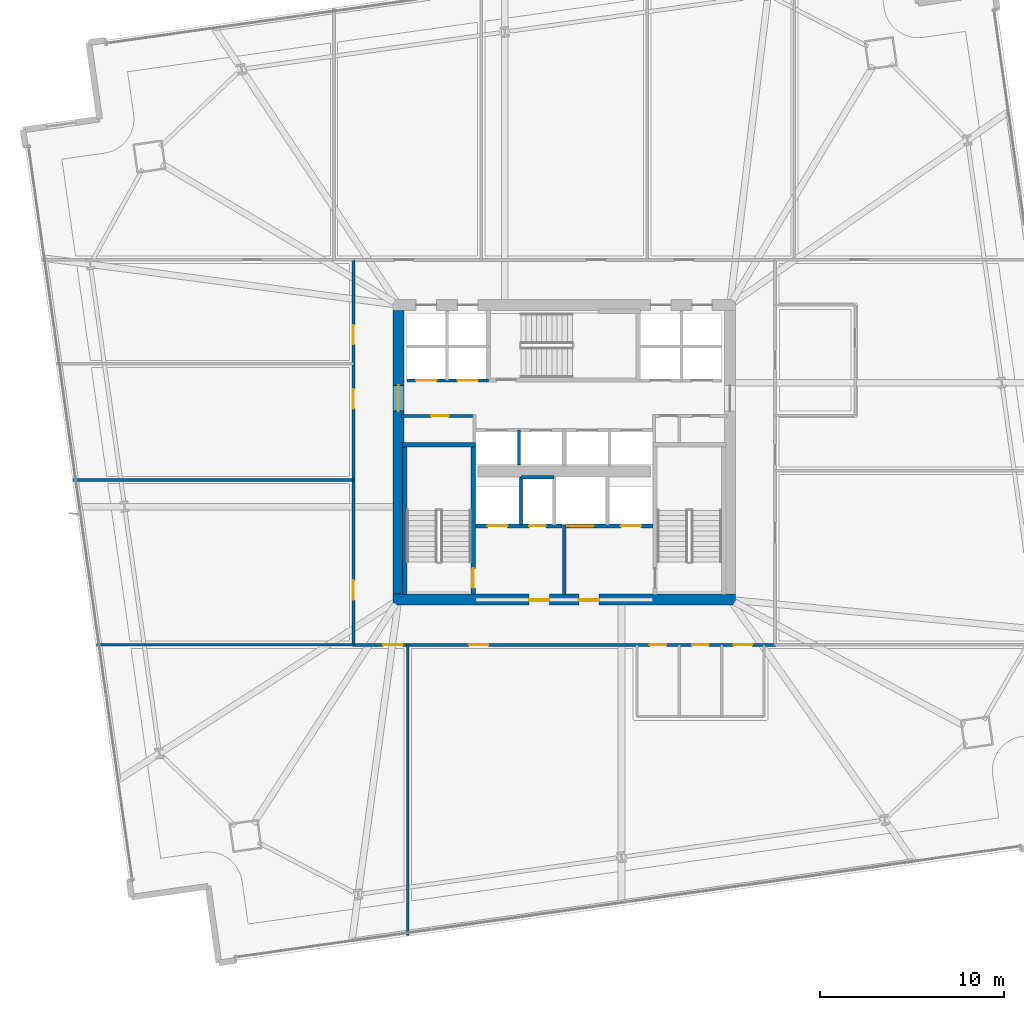
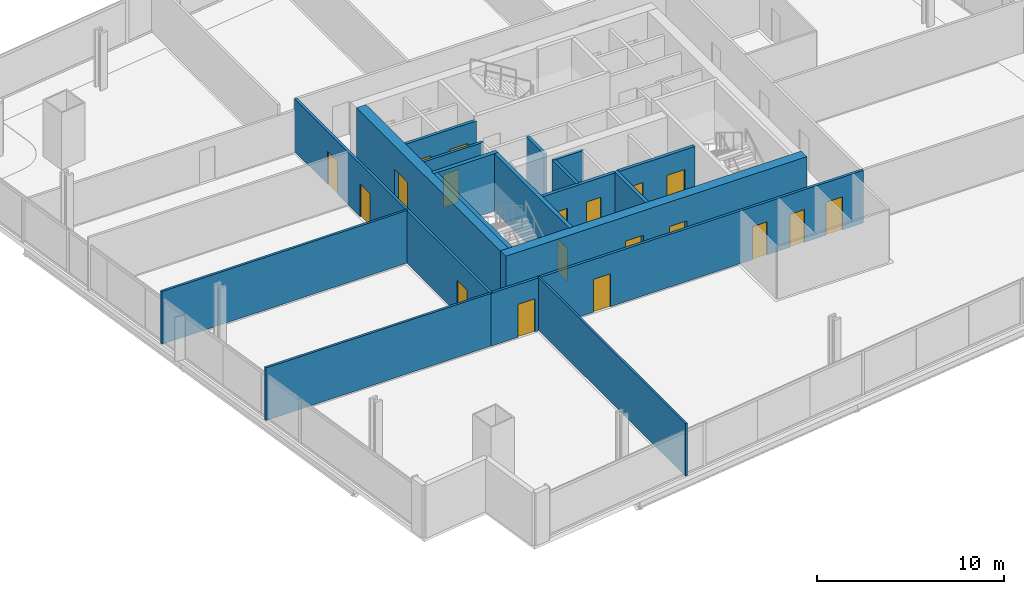
# One storey, part 25 of 33: 19 doors, 18 walls, 19 openings.
"""IFC4 building model written with IfcOpenShell, lengths in metres."""

from ifc_helpers import new_model, si_unit, direction, frame, frame_2d, origin, place, context, subcontext, project, spatial, rectangle, extrude, material, layer, layer_set, type_object, element, fill, save


model = new_model("IFC4")

# Units and contexts
model_context = context("Model", 3, precision=1e-05, world=origin(), true_north=direction((0.0, 1.0)))
body_context = subcontext(model_context, "Body", "Model", "MODEL_VIEW")
ifc_project = project(units=[si_unit("LENGTHUNIT", "METRE"), si_unit("AREAUNIT", "SQUARE_METRE"), si_unit("VOLUMEUNIT", "CUBIC_METRE"), si_unit("PLANEANGLEUNIT", "RADIAN"), si_unit("MASSUNIT", "GRAM", prefix="KILO")], contexts=[model_context])

# Site, building, storey
site_placement = place(None, origin())
site = spatial("IfcSite", under=ifc_project, at=site_placement, CompositionType="ELEMENT")
building_placement = place(site_placement, origin())
building = spatial("IfcBuilding", under=site, at=building_placement, Name="Haldenkirk Collegiate Tower", CompositionType="ELEMENT")
storey_placement = place(building_placement, frame((0.0, 0.0, 55.199951171875)))
storey = spatial("IfcBuildingStorey", under=building, at=storey_placement, Name="L12", CompositionType="ELEMENT", Elevation=55.199951171875)

# Wall, openings, doors
ifc_material_1 = material(Name="Concrete f'c 70 MPa", Category="concrete")
ifc_layer_1 = layer(ifc_material_1, 0.60009765625)
ifc_layer_set_1 = layer_set([ifc_layer_1], Name="Concrete f'c 70 MPa")
wall_type_1 = type_object("IfcWallType", Name="WL-CORE-600", PredefinedType="SHEAR", material=ifc_layer_set_1)
wall_1_placement = place(storey_placement, frame((26.699951171875, 18.0, 0.0), z_axis=(0.0, 0.0, 1.0), x_axis=(1.0, 0.0, 0.0)))
wall_1 = element("IfcWall", 1, at=wall_1_placement, inside=storey, type_object=wall_type_1, Name="L12 central core shear wall S", PredefinedType="SHEAR", context=body_context, shape_type="SweptSolid", body=[
    extrude(rectangle(XDim=18.60009765625, YDim=0.60009765625, at=frame_2d((9.300048828125, 0.0))), origin(), (0.0, 0.0, 1.0), 3.75),
])
opening_1_placement = place(wall_1_placement, frame((7.39990234375, 0.0, 0.0)))
opening_1 = element("IfcOpeningElement", 2, at=opening_1_placement, cuts=wall_1, Name="Opening D-02", PredefinedType="OPENING", context=body_context, shape_type="SweptSolid", body=[
    extrude(rectangle(XDim=1.10009765625, YDim=2.14990234375, at=frame_2d((0.550048828125, 1.074951171875))), frame((0.0, 0.31005859375, 0.0), z_axis=(0.0, -1.0, 0.0), x_axis=(1.0, 0.0, 0.0)), (0.0, 0.0, 1.0), 0.6201171875),
])
opening_2_placement = place(wall_1_placement, frame((10.10009765625, 0.0, 0.0)))
opening_2 = element("IfcOpeningElement", 3, at=opening_2_placement, cuts=wall_1, Name="Opening D-02", PredefinedType="OPENING", context=body_context, shape_type="SweptSolid", body=[
    extrude(rectangle(XDim=1.10009765625, YDim=2.14990234375, at=frame_2d((0.550048828125, 1.074951171875))), frame((0.0, 0.31005859375, 0.0), z_axis=(0.0, -1.0, 0.0), x_axis=(1.0, 0.0, 0.0)), (0.0, 0.0, 1.0), 0.6201171875),
])
ifc_material_2 = material(Name="Galvanized fire-rated hollow steel door", Category="steel")
ifc_layer_2 = layer(ifc_material_2, 0.06005859375)
ifc_layer_set_2 = layer_set([ifc_layer_2], Name="Galvanized fire-rated hollow steel door")
door_type_1 = type_object("IfcDoorType", Name="DR-STAIR-FD90-1100", OperationType="NOTDEFINED", PredefinedType="DOOR", material=ifc_layer_set_2)
door_1_placement = place(opening_1_placement, origin())
door_1 = element("IfcDoor", 4, at=door_1_placement, inside=storey, type_object=door_type_1, Name="L12 Firefighting Lobby 1 door", OperationType="SINGLE_SWING_LEFT", OverallHeight=2.14990234375, OverallWidth=1.10009765625, PredefinedType="DOOR", context=body_context, shape_type="SweptSolid", body=[
    extrude(rectangle(XDim=1.10009765625, YDim=2.14990234375, at=frame_2d((0.550048828125, 1.074951171875))), frame((0.0, 0.02490234375, 0.0), z_axis=(0.0, -1.0, 0.0), x_axis=(1.0, 0.0, 0.0)), (0.0, 0.0, 1.0), 0.050048828125),
])
fill(opening_1, door_1)
door_2_placement = place(opening_2_placement, origin())
door_2 = element("IfcDoor", 5, at=door_2_placement, inside=storey, type_object=door_type_1, Name="L12 Firefighting Lobby 2 door", OperationType="SINGLE_SWING_RIGHT", OverallHeight=2.14990234375, OverallWidth=1.10009765625, PredefinedType="DOOR", context=body_context, shape_type="SweptSolid", body=[
    extrude(rectangle(XDim=1.10009765625, YDim=2.14990234375, at=frame_2d((0.550048828125, 1.074951171875))), frame((0.0, 0.02490234375, 0.0), z_axis=(0.0, -1.0, 0.0), x_axis=(1.0, 0.0, 0.0)), (0.0, 0.0, 1.0), 0.050048828125),
])
fill(opening_2, door_2)

# Wall, opening, door
wall_2_placement = place(storey_placement, frame((27.0, 18.300048828125, 0.0), z_axis=(0.0, 0.0, 1.0), x_axis=(0.0, 1.0, 0.0)))
wall_2 = element("IfcWall", 6, at=wall_2_placement, inside=storey, type_object=wall_type_1, Name="L12 central core shear wall W", PredefinedType="SHEAR", context=body_context, shape_type="SweptSolid", body=[
    extrude(rectangle(XDim=15.39990234375, YDim=0.60009765625, at=frame_2d((7.699951171875, 0.0))), origin(), (0.0, 0.0, 1.0), 3.75),
])
opening_3_placement = place(wall_2_placement, frame((9.93994140625, 0.0, 0.0)))
opening_3 = element("IfcOpeningElement", 7, at=opening_3_placement, cuts=wall_2, Name="Opening D-03", PredefinedType="OPENING", context=body_context, shape_type="SweptSolid", body=[
    extrude(rectangle(XDim=1.39990234375, YDim=2.199951171875, at=frame_2d((0.699951171875, 1.10009765625))), frame((0.0, 0.31005859375, 0.0), z_axis=(0.0, -1.0, 0.0), x_axis=(1.0, 0.0, 0.0)), (0.0, 0.0, 1.0), 0.6201171875),
])
ifc_layer_3 = layer(ifc_material_2, 0.06005859375)
ifc_layer_set_3 = layer_set([ifc_layer_3], Name="Galvanized fire-rated hollow steel door")
door_type_2 = type_object("IfcDoorType", Name="DR-LOBBY-FD90-1400", OperationType="NOTDEFINED", PredefinedType="DOOR", material=ifc_layer_set_3)
door_3_placement = place(opening_3_placement, origin())
door_3 = element("IfcDoor", 8, at=door_3_placement, inside=storey, type_object=door_type_2, Name="L12 west lift lobby portal", OperationType="DOUBLE_DOOR_SINGLE_SWING", OverallHeight=2.199951171875, OverallWidth=1.39990234375, PredefinedType="DOOR", context=body_context, shape_type="SweptSolid", body=[
    extrude(rectangle(XDim=1.39990234375, YDim=2.199951171875, at=frame_2d((0.699951171875, 1.10009765625))), frame((0.0, 0.02490234375, 0.0), z_axis=(0.0, -1.0, 0.0), x_axis=(1.0, 0.0, 0.0)), (0.0, 0.0, 1.0), 0.050048828125),
])
fill(opening_3, door_3)

ifc_material_3 = material(Name="Acoustic fire-rated gypsum partition", Category="concrete")
ifc_layer_4 = layer(ifc_material_3, 0.159912109375)
ifc_layer_set_4 = layer_set([ifc_layer_4], Name="Acoustic fire-rated gypsum partition")
wall_type_2 = type_object("IfcWallType", Name="WL-INT-CORR-160", PredefinedType="PARTITIONING", material=ifc_layer_set_4)
wall_3_placement = place(storey_placement, frame((27.14990234375, 27.97998046875, 0.0), z_axis=(0.0, 0.0, 1.0), x_axis=(1.0, 0.0, 0.0)))
wall_3 = element("IfcWall", 9, at=wall_3_placement, inside=storey, type_object=wall_type_2, Name="L12 interior partition IW-L12-VCSW-N", PredefinedType="PARTITIONING", context=body_context, shape_type="SweptSolid", body=[
    extrude(rectangle(XDim=4.050048828125, YDim=0.159912109375, at=frame_2d((2.02490234375, 0.0))), origin(), (0.0, 0.0, 1.0), 3.43994140625),
])
opening_4_placement = place(wall_3_placement, frame((1.625, 0.0, 0.0)))
opening_4 = element("IfcOpeningElement", 10, at=opening_4_placement, cuts=wall_3, Name="Opening D-10", PredefinedType="OPENING", context=body_context, shape_type="SweptSolid", body=[
    extrude(rectangle(XDim=0.949951171875, YDim=2.14990234375, at=frame_2d((0.47509765625, 1.074951171875))), frame((0.0, 0.08984375, 0.0), z_axis=(0.0, -1.0, 0.0), x_axis=(1.0, 0.0, 0.0)), (0.0, 0.0, 1.0), 0.179931640625),
])
ifc_material_4 = material(Name="Solid-core architectural oak fire door", Category="wood")
ifc_layer_5 = layer(ifc_material_4, 0.06005859375)
ifc_layer_set_5 = layer_set([ifc_layer_5], Name="Solid-core architectural oak fire door")
door_type_3 = type_object("IfcDoorType", Name="DR-INT-FD60-950", OperationType="NOTDEFINED", PredefinedType="DOOR", material=ifc_layer_set_5)
door_4_placement = place(opening_4_placement, origin())
door_4 = element("IfcDoor", 11, at=door_4_placement, inside=storey, type_object=door_type_3, Name="L12 core tea pantry door", OperationType="SINGLE_SWING_LEFT", OverallHeight=2.14990234375, OverallWidth=0.949951171875, PredefinedType="DOOR", context=body_context, shape_type="SweptSolid", body=[
    extrude(rectangle(XDim=0.949951171875, YDim=2.14990234375, at=frame_2d((0.47509765625, 1.074951171875))), frame((0.0, 0.02490234375, 0.0), z_axis=(0.0, -1.0, 0.0), x_axis=(1.0, 0.0, 0.0)), (0.0, 0.0, 1.0), 0.050048828125),
])
fill(opening_4, door_4)

# Wall, openings, doors
wall_4_placement = place(storey_placement, frame((24.5, 15.550048828125, 0.0), z_axis=(0.0, 0.0, 1.0), x_axis=(1.0, 0.0, 0.0)))
wall_4 = element("IfcWall", 12, at=wall_4_placement, inside=storey, type_object=wall_type_2, Name="L12 interior partition IW-L12-CS", PredefinedType="PARTITIONING", context=body_context, shape_type="SweptSolid", body=[
    extrude(rectangle(XDim=23.0, YDim=0.159912109375, at=frame_2d((11.5, 0.0))), origin(), (0.0, 0.0, 1.0), 3.43994140625),
])
opening_5_placement = place(wall_4_placement, frame((16.14990234375, 0.0, 0.0)))
opening_5 = element("IfcOpeningElement", 13, at=opening_5_placement, cuts=wall_4, Name="Opening D-13", PredefinedType="OPENING", context=body_context, shape_type="SweptSolid", body=[
    extrude(rectangle(XDim=0.89990234375, YDim=2.14990234375, at=frame_2d((0.449951171875, 1.074951171875))), frame((0.0, 0.08984375, 0.0), z_axis=(0.0, -1.0, 0.0), x_axis=(1.0, 0.0, 0.0)), (0.0, 0.0, 1.0), 0.179931640625),
])
opening_6_placement = place(wall_4_placement, frame((18.449951171875, 0.0, 0.0)))
opening_6 = element("IfcOpeningElement", 14, at=opening_6_placement, cuts=wall_4, Name="Opening D-13", PredefinedType="OPENING", context=body_context, shape_type="SweptSolid", body=[
    extrude(rectangle(XDim=0.89990234375, YDim=2.14990234375, at=frame_2d((0.449951171875, 1.074951171875))), frame((0.0, 0.08984375, 0.0), z_axis=(0.0, -1.0, 0.0), x_axis=(1.0, 0.0, 0.0)), (0.0, 0.0, 1.0), 0.179931640625),
])
opening_7_placement = place(wall_4_placement, frame((20.699951171875, 0.0, 0.0)))
opening_7 = element("IfcOpeningElement", 15, at=opening_7_placement, cuts=wall_4, Name="Opening D-14", PredefinedType="OPENING", context=body_context, shape_type="SweptSolid", body=[
    extrude(rectangle(XDim=1.0, YDim=2.14990234375, at=frame_2d((0.5, 1.074951171875))), frame((0.0, 0.08984375, 0.0), z_axis=(0.0, -1.0, 0.0), x_axis=(1.0, 0.0, 0.0)), (0.0, 0.0, 1.0), 0.179931640625),
])
opening_8_placement = place(wall_4_placement, frame((1.669921875, 0.0, 0.0)))
opening_8 = element("IfcOpeningElement", 16, at=opening_8_placement, cuts=wall_4, Name="Opening D-09", PredefinedType="OPENING", context=body_context, shape_type="SweptSolid", body=[
    extrude(rectangle(XDim=1.050048828125, YDim=2.14990234375, at=frame_2d((0.52490234375, 1.074951171875))), frame((0.0, 0.08984375, 0.0), z_axis=(0.0, -1.0, 0.0), x_axis=(1.0, 0.0, 0.0)), (0.0, 0.0, 1.0), 0.179931640625),
])
opening_9_placement = place(wall_4_placement, frame((6.3330078125, 0.0, 0.0)))
opening_9 = element("IfcOpeningElement", 17, at=opening_9_placement, cuts=wall_4, Name="Opening D-09", PredefinedType="OPENING", context=body_context, shape_type="SweptSolid", body=[
    extrude(rectangle(XDim=1.050048828125, YDim=2.14990234375, at=frame_2d((0.52490234375, 1.074951171875))), frame((0.0, 0.08984375, 0.0), z_axis=(0.0, -1.0, 0.0), x_axis=(1.0, 0.0, 0.0)), (0.0, 0.0, 1.0), 0.179931640625),
])
ifc_layer_6 = layer(ifc_material_4, 0.06005859375)
ifc_layer_set_6 = layer_set([ifc_layer_6], Name="Solid-core architectural oak fire door")
door_type_4 = type_object("IfcDoorType", Name="DR-INT-ACC-1000", OperationType="NOTDEFINED", PredefinedType="DOOR", material=ifc_layer_set_6)
door_5_placement = place(opening_7_placement, origin())
door_5 = element("IfcDoor", 18, at=door_5_placement, inside=storey, type_object=door_type_4, Name="L12 Accessible WC door", OperationType="SINGLE_SWING_RIGHT", OverallHeight=2.14990234375, OverallWidth=1.0, PredefinedType="DOOR", context=body_context, shape_type="SweptSolid", body=[
    extrude(rectangle(XDim=1.0, YDim=2.14990234375, at=frame_2d((0.5, 1.074951171875))), frame((0.0, 0.02490234375, 0.0), z_axis=(0.0, -1.0, 0.0), x_axis=(1.0, 0.0, 0.0)), (0.0, 0.0, 1.0), 0.050048828125),
])
fill(opening_7, door_5)
ifc_layer_7 = layer(ifc_material_4, 0.06005859375)
ifc_layer_set_7 = layer_set([ifc_layer_7], Name="Solid-core architectural oak fire door")
door_type_5 = type_object("IfcDoorType", Name="DR-INT-FD60-1050", OperationType="NOTDEFINED", PredefinedType="DOOR", material=ifc_layer_set_7)
door_6_placement = place(opening_8_placement, origin())
door_6 = element("IfcDoor", 19, at=door_6_placement, inside=storey, type_object=door_type_5, Name="L12 Special Collections Archive 1 door", OperationType="SINGLE_SWING_LEFT", OverallHeight=2.14990234375, OverallWidth=1.050048828125, PredefinedType="DOOR", context=body_context, shape_type="SweptSolid", body=[
    extrude(rectangle(XDim=1.050048828125, YDim=2.14990234375, at=frame_2d((0.52490234375, 1.074951171875))), frame((0.0, 0.02490234375, 0.0), z_axis=(0.0, -1.0, 0.0), x_axis=(1.0, 0.0, 0.0)), (0.0, 0.0, 1.0), 0.050048828125),
])
fill(opening_8, door_6)
door_7_placement = place(opening_9_placement, origin())
door_7 = element("IfcDoor", 20, at=door_7_placement, inside=storey, type_object=door_type_5, Name="L12 Rare Folio Vault 2 door", OperationType="SINGLE_SWING_RIGHT", OverallHeight=2.14990234375, OverallWidth=1.050048828125, PredefinedType="DOOR", context=body_context, shape_type="SweptSolid", body=[
    extrude(rectangle(XDim=1.050048828125, YDim=2.14990234375, at=frame_2d((0.52490234375, 1.074951171875))), frame((0.0, 0.02490234375, 0.0), z_axis=(0.0, -1.0, 0.0), x_axis=(1.0, 0.0, 0.0)), (0.0, 0.0, 1.0), 0.050048828125),
])
fill(opening_9, door_7)
ifc_layer_8 = layer(ifc_material_4, 0.06005859375)
ifc_layer_set_8 = layer_set([ifc_layer_8], Name="Solid-core architectural oak fire door")
door_type_6 = type_object("IfcDoorType", Name="DR-INT-STD-900", OperationType="NOTDEFINED", PredefinedType="DOOR", material=ifc_layer_set_8)
door_8_placement = place(opening_5_placement, origin())
door_8 = element("IfcDoor", 21, at=door_8_placement, inside=storey, type_object=door_type_6, Name="L12 Male WC door", OperationType="SINGLE_SWING_RIGHT", OverallHeight=2.14990234375, OverallWidth=0.89990234375, PredefinedType="DOOR", context=body_context, shape_type="SweptSolid", body=[
    extrude(rectangle(XDim=0.89990234375, YDim=2.14990234375, at=frame_2d((0.449951171875, 1.074951171875))), frame((0.0, 0.02490234375, 0.0), z_axis=(0.0, -1.0, 0.0), x_axis=(1.0, 0.0, 0.0)), (0.0, 0.0, 1.0), 0.050048828125),
])
fill(opening_5, door_8)
door_9_placement = place(opening_6_placement, origin())
door_9 = element("IfcDoor", 22, at=door_9_placement, inside=storey, type_object=door_type_6, Name="L12 Female WC door", OperationType="SINGLE_SWING_LEFT", OverallHeight=2.14990234375, OverallWidth=0.89990234375, PredefinedType="DOOR", context=body_context, shape_type="SweptSolid", body=[
    extrude(rectangle(XDim=0.89990234375, YDim=2.14990234375, at=frame_2d((0.449951171875, 1.074951171875))), frame((0.0, 0.02490234375, 0.0), z_axis=(0.0, -1.0, 0.0), x_axis=(1.0, 0.0, 0.0)), (0.0, 0.0, 1.0), 0.050048828125),
])
fill(opening_6, door_9)

wall_5_placement = place(storey_placement, frame((24.550048828125, 15.550048828125, 0.0), z_axis=(0.0, 0.0, 1.0), x_axis=(0.0, 1.0, 0.0)))
wall_5 = element("IfcWall", 23, at=wall_5_placement, inside=storey, type_object=wall_type_2, Name="L12 interior partition IW-L12-CW", PredefinedType="PARTITIONING", context=body_context, shape_type="SweptSolid", body=[
    extrude(rectangle(XDim=20.89990234375, YDim=0.159912109375, at=frame_2d((10.449951171875, 0.0))), origin(), (0.0, 0.0, 1.0), 3.43994140625),
])
opening_10_placement = place(wall_5_placement, frame((2.445068359375, 0.0, 0.0)))
opening_10 = element("IfcOpeningElement", 24, at=opening_10_placement, cuts=wall_5, Name="Opening D-09", PredefinedType="OPENING", context=body_context, shape_type="SweptSolid", body=[
    extrude(rectangle(XDim=1.050048828125, YDim=2.14990234375, at=frame_2d((0.52490234375, 1.074951171875))), frame((0.0, 0.08984375, 0.0), z_axis=(0.0, -1.0, 0.0), x_axis=(1.0, 0.0, 0.0)), (0.0, 0.0, 1.0), 0.179931640625),
])
opening_11_placement = place(wall_5_placement, frame((12.8291015625, 0.0, 0.0)))
opening_11 = element("IfcOpeningElement", 25, at=opening_11_placement, cuts=wall_5, Name="Opening D-09", PredefinedType="OPENING", context=body_context, shape_type="SweptSolid", body=[
    extrude(rectangle(XDim=1.050048828125, YDim=2.14990234375, at=frame_2d((0.52490234375, 1.074951171875))), frame((0.0, 0.08984375, 0.0), z_axis=(0.0, -1.0, 0.0), x_axis=(1.0, 0.0, 0.0)), (0.0, 0.0, 1.0), 0.179931640625),
])
opening_12_placement = place(wall_5_placement, frame((16.306884765625, 0.0, 0.0)))
opening_12 = element("IfcOpeningElement", 26, at=opening_12_placement, cuts=wall_5, Name="Opening D-09", PredefinedType="OPENING", context=body_context, shape_type="SweptSolid", body=[
    extrude(rectangle(XDim=1.050048828125, YDim=2.14990234375, at=frame_2d((0.52490234375, 1.074951171875))), frame((0.0, 0.08984375, 0.0), z_axis=(0.0, -1.0, 0.0), x_axis=(1.0, 0.0, 0.0)), (0.0, 0.0, 1.0), 0.179931640625),
])
door_10_placement = place(opening_10_placement, origin())
door_10 = element("IfcDoor", 27, at=door_10_placement, inside=storey, type_object=door_type_5, Name="L12 Rare Folio Vault 8 door", OperationType="SINGLE_SWING_RIGHT", OverallHeight=2.14990234375, OverallWidth=1.050048828125, PredefinedType="DOOR", context=body_context, shape_type="SweptSolid", body=[
    extrude(rectangle(XDim=1.050048828125, YDim=2.14990234375, at=frame_2d((0.52490234375, 1.074951171875))), frame((0.0, 0.02490234375, 0.0), z_axis=(0.0, -1.0, 0.0), x_axis=(1.0, 0.0, 0.0)), (0.0, 0.0, 1.0), 0.050048828125),
])
fill(opening_10, door_10)
door_11_placement = place(opening_11_placement, origin())
door_11 = element("IfcDoor", 28, at=door_11_placement, inside=storey, type_object=door_type_5, Name="L12 Instrument Store Room 9 door", OperationType="SINGLE_SWING_LEFT", OverallHeight=2.14990234375, OverallWidth=1.050048828125, PredefinedType="DOOR", context=body_context, shape_type="SweptSolid", body=[
    extrude(rectangle(XDim=1.050048828125, YDim=2.14990234375, at=frame_2d((0.52490234375, 1.074951171875))), frame((0.0, 0.02490234375, 0.0), z_axis=(0.0, -1.0, 0.0), x_axis=(1.0, 0.0, 0.0)), (0.0, 0.0, 1.0), 0.050048828125),
])
fill(opening_11, door_11)
door_12_placement = place(opening_12_placement, origin())
door_12 = element("IfcDoor", 29, at=door_12_placement, inside=storey, type_object=door_type_5, Name="L12 Material Specimen Store 10 door", OperationType="SINGLE_SWING_RIGHT", OverallHeight=2.14990234375, OverallWidth=1.050048828125, PredefinedType="DOOR", context=body_context, shape_type="SweptSolid", body=[
    extrude(rectangle(XDim=1.050048828125, YDim=2.14990234375, at=frame_2d((0.52490234375, 1.074951171875))), frame((0.0, 0.02490234375, 0.0), z_axis=(0.0, -1.0, 0.0), x_axis=(1.0, 0.0, 0.0)), (0.0, 0.0, 1.0), 0.050048828125),
])
fill(opening_12, door_12)

# Walls
ifc_layer_9 = layer(ifc_material_3, 0.139892578125)
ifc_layer_set_9 = layer_set([ifc_layer_9], Name="Acoustic fire-rated gypsum partition")
wall_type_3 = type_object("IfcWallType", Name="WL-INT-DIV-140", PredefinedType="PARTITIONING", material=ifc_layer_set_9)
wall_6_placement = place(storey_placement, frame((10.60302734375, 15.550048828125, 0.0), z_axis=(0.0, 0.0, 1.0), x_axis=(1.0, 0.0, 0.0)))
element("IfcWall", 30, at=wall_6_placement, inside=storey, type_object=wall_type_3, Name="L12 interior partition IW-L12-BWS", PredefinedType="PARTITIONING", context=body_context, shape_type="SweptSolid", body=[
    extrude(rectangle(XDim=13.947021484375, YDim=0.139892578125, at=frame_2d((6.9736328125, 0.0))), origin(), (0.0, 0.0, 1.0), 3.43994140625),
])
wall_7_placement = place(storey_placement, frame((9.33740234375, 24.5, 0.0), z_axis=(0.0, 0.0, 1.0), x_axis=(1.0, 0.0, 0.0)))
element("IfcWall", 31, at=wall_7_placement, inside=storey, type_object=wall_type_3, Name="L12 interior partition IW-L12-RW1", PredefinedType="PARTITIONING", context=body_context, shape_type="SweptSolid", body=[
    extrude(rectangle(XDim=15.212646484375, YDim=0.139892578125, at=frame_2d((7.6064453125, 0.0))), origin(), (0.0, 0.0, 1.0), 3.43994140625),
])
ifc_material_5 = material(Name="Fire-rated gypsum shaftboard assembly", Category="concrete")
ifc_layer_10 = layer(ifc_material_5, 0.179931640625)
ifc_layer_set_10 = layer_set([ifc_layer_10], Name="Fire-rated gypsum shaftboard assembly")
wall_type_4 = type_object("IfcWallType", Name="WL-INT-SHAFT-180", PredefinedType="PARTITIONING", material=ifc_layer_set_10)
wall_8_placement = place(storey_placement, frame((33.64990234375, 22.050048828125, 0.0), z_axis=(0.0, 0.0, 1.0), x_axis=(0.0, 1.0, 0.0)))
element("IfcWall", 32, at=wall_8_placement, inside=storey, type_object=wall_type_4, Name="L12 interior partition IW-L12-FL1E", PredefinedType="PARTITIONING", context=body_context, shape_type="SweptSolid", body=[
    extrude(rectangle(XDim=2.599853515625, YDim=0.179931640625, at=frame_2d((1.2998046875, 0.0))), origin(), (0.0, 0.0, 1.0), 3.43994140625),
])
wall_9_placement = place(storey_placement, frame((33.64990234375, 24.64990234375, 0.0), z_axis=(0.0, 0.0, 1.0), x_axis=(1.0, 0.0, 0.0)))
element("IfcWall", 33, at=wall_9_placement, inside=storey, type_object=wall_type_4, Name="L12 interior partition IW-L12-RSRN", PredefinedType="PARTITIONING", context=body_context, shape_type="SweptSolid", body=[
    extrude(rectangle(XDim=1.800048828125, YDim=0.179931640625, at=frame_2d((0.89990234375, 0.0))), origin(), (0.0, 0.0, 1.0), 3.43994140625),
])

# Wall, openings, doors
wall_10_placement = place(storey_placement, frame((27.449951171875, 29.89990234375, 0.0), z_axis=(0.0, 0.0, 1.0), x_axis=(1.0, 0.0, 0.0)))
wall_10 = element("IfcWall", 34, at=wall_10_placement, inside=storey, type_object=wall_type_4, Name="L12 interior partition IW-L12-PLS", PredefinedType="PARTITIONING", context=body_context, shape_type="SweptSolid", body=[
    extrude(rectangle(XDim=4.429931640625, YDim=0.179931640625, at=frame_2d((2.21484375, 0.0))), origin(), (0.0, 0.0, 1.0), 3.43994140625),
])
opening_13_placement = place(wall_10_placement, frame((0.514892578125, 0.0, 0.0)))
opening_13 = element("IfcOpeningElement", 35, at=opening_13_placement, cuts=wall_10, Name="Opening LD-11", PredefinedType="OPENING", context=body_context, shape_type="SweptSolid", body=[
    extrude(rectangle(XDim=1.10009765625, YDim=2.14990234375, at=frame_2d((0.550048828125, 1.074951171875))), frame((0.0, 0.099853515625, 0.0), z_axis=(0.0, -1.0, 0.0), x_axis=(1.0, 0.0, 0.0)), (0.0, 0.0, 1.0), 0.199951171875),
])
opening_14_placement = place(wall_10_placement, frame((2.764892578125, 0.0, 0.0)))
opening_14 = element("IfcOpeningElement", 36, at=opening_14_placement, cuts=wall_10, Name="Opening LD-11", PredefinedType="OPENING", context=body_context, shape_type="SweptSolid", body=[
    extrude(rectangle(XDim=1.10009765625, YDim=2.14990234375, at=frame_2d((0.550048828125, 1.074951171875))), frame((0.0, 0.099853515625, 0.0), z_axis=(0.0, -1.0, 0.0), x_axis=(1.0, 0.0, 0.0)), (0.0, 0.0, 1.0), 0.199951171875),
])
ifc_material_6 = material(Name="Brushed architectural stainless steel", Category="steel")
ifc_layer_11 = layer(ifc_material_6, 0.06005859375)
ifc_layer_set_11 = layer_set([ifc_layer_11], Name="Brushed architectural stainless steel")
door_type_7 = type_object("IfcDoorType", Name="LD-PASS-1100", OperationType="NOTDEFINED", PredefinedType="DOOR", material=ifc_layer_set_11)
door_13_placement = place(opening_13_placement, origin())
door_13 = element("IfcDoor", 37, at=door_13_placement, inside=storey, type_object=door_type_7, Name="L12 Elevator PL1 sliding landing door", OperationType="SLIDING_TO_LEFT", OverallHeight=2.14990234375, OverallWidth=1.10009765625, PredefinedType="DOOR", context=body_context, shape_type="SweptSolid", body=[
    extrude(rectangle(XDim=1.10009765625, YDim=2.14990234375, at=frame_2d((0.550048828125, 1.074951171875))), frame((0.0, 0.02490234375, 0.0), z_axis=(0.0, -1.0, 0.0), x_axis=(1.0, 0.0, 0.0)), (0.0, 0.0, 1.0), 0.050048828125),
])
fill(opening_13, door_13)
door_14_placement = place(opening_14_placement, origin())
door_14 = element("IfcDoor", 38, at=door_14_placement, inside=storey, type_object=door_type_7, Name="L12 Elevator PL2 sliding landing door", OperationType="SLIDING_TO_LEFT", OverallHeight=2.14990234375, OverallWidth=1.10009765625, PredefinedType="DOOR", context=body_context, shape_type="SweptSolid", body=[
    extrude(rectangle(XDim=1.10009765625, YDim=2.14990234375, at=frame_2d((0.550048828125, 1.074951171875))), frame((0.0, 0.02490234375, 0.0), z_axis=(0.0, -1.0, 0.0), x_axis=(1.0, 0.0, 0.0)), (0.0, 0.0, 1.0), 0.050048828125),
])
fill(opening_14, door_14)

# Walls
wall_11_placement = place(storey_placement, frame((33.5400390625, 25.300048828125, 0.0), z_axis=(0.0, 0.0, 1.0), x_axis=(0.0, 1.0, 0.0)))
element("IfcWall", 39, at=wall_11_placement, inside=storey, type_object=wall_type_4, Name="L12 interior partition IW-L12-PHV1", PredefinedType="PARTITIONING", context=body_context, shape_type="SweptSolid", body=[
    extrude(rectangle(XDim=1.89990234375, YDim=0.179931640625, at=frame_2d((0.949951171875, 0.0))), origin(), (0.0, 0.0, 1.0), 3.43994140625),
])
ifc_layer_12 = layer(ifc_material_5, 0.199951171875)
ifc_layer_set_12 = layer_set([ifc_layer_12], Name="Fire-rated gypsum shaftboard assembly")
wall_type_5 = type_object("IfcWallType", Name="WL-INT-SHAFT-200", PredefinedType="PARTITIONING", material=ifc_layer_set_12)
wall_12_placement = place(storey_placement, frame((36.0, 18.280029296875, 0.0), z_axis=(0.0, 0.0, 1.0), x_axis=(0.0, 1.0, 0.0)))
element("IfcWall", 40, at=wall_12_placement, inside=storey, type_object=wall_type_5, Name="L12 interior partition IW-L12-FFLM", PredefinedType="PARTITIONING", context=body_context, shape_type="SweptSolid", body=[
    extrude(rectangle(XDim=3.77001953125, YDim=0.199951171875, at=frame_2d((1.885009765625, 0.0))), origin(), (0.0, 0.0, 1.0), 3.43994140625),
])

# Wall, openings, doors
wall_13_placement = place(storey_placement, frame((31.18994140625, 22.0, 0.0), z_axis=(0.0, 0.0, 1.0), x_axis=(1.0, 0.0, 0.0)))
wall_13 = element("IfcWall", 41, at=wall_13_placement, inside=storey, type_object=wall_type_5, Name="L12 interior partition IW-L12-FFL1N", PredefinedType="PARTITIONING", context=body_context, shape_type="SweptSolid", body=[
    extrude(rectangle(XDim=4.68994140625, YDim=0.199951171875, at=frame_2d((2.344970703125, 0.0))), origin(), (0.0, 0.0, 1.0), 3.43994140625),
])
opening_15_placement = place(wall_13_placement, frame((2.909912109375, 0.0, 0.0)))
opening_15 = element("IfcOpeningElement", 42, at=opening_15_placement, cuts=wall_13, Name="Opening D-06", PredefinedType="OPENING", context=body_context, shape_type="SweptSolid", body=[
    extrude(rectangle(XDim=0.89990234375, YDim=2.14990234375, at=frame_2d((0.449951171875, 1.074951171875))), frame((0.0, 0.10986328125, 0.0), z_axis=(0.0, -1.0, 0.0), x_axis=(1.0, 0.0, 0.0)), (0.0, 0.0, 1.0), 0.219970703125),
])
opening_16_placement = place(wall_13_placement, frame((0.635009765625, 0.0, 0.0)))
opening_16 = element("IfcOpeningElement", 43, at=opening_16_placement, cuts=wall_13, Name="Opening LD-12", PredefinedType="OPENING", context=body_context, shape_type="SweptSolid", body=[
    extrude(rectangle(XDim=1.10009765625, YDim=2.14990234375, at=frame_2d((0.550048828125, 1.074951171875))), frame((0.0, 0.10986328125, 0.0), z_axis=(0.0, -1.0, 0.0), x_axis=(1.0, 0.0, 0.0)), (0.0, 0.0, 1.0), 0.219970703125),
])
ifc_layer_13 = layer(ifc_material_2, 0.06005859375)
ifc_layer_set_13 = layer_set([ifc_layer_13], Name="Galvanized fire-rated hollow steel door")
door_type_8 = type_object("IfcDoorType", Name="DR-INT-FD90-900", OperationType="NOTDEFINED", PredefinedType="DOOR", material=ifc_layer_set_13)
door_15_placement = place(opening_15_placement, origin())
door_15 = element("IfcDoor", 44, at=door_15_placement, inside=storey, type_object=door_type_8, Name="L12 electrical riser door", OperationType="SINGLE_SWING_LEFT", OverallHeight=2.14990234375, OverallWidth=0.89990234375, PredefinedType="DOOR", context=body_context, shape_type="SweptSolid", body=[
    extrude(rectangle(XDim=0.89990234375, YDim=2.14990234375, at=frame_2d((0.449951171875, 1.074951171875))), frame((0.0, 0.02490234375, 0.0), z_axis=(0.0, -1.0, 0.0), x_axis=(1.0, 0.0, 0.0)), (0.0, 0.0, 1.0), 0.050048828125),
])
fill(opening_15, door_15)
ifc_layer_14 = layer(ifc_material_6, 0.06005859375)
ifc_layer_set_14 = layer_set([ifc_layer_14], Name="Brushed architectural stainless steel")
door_type_9 = type_object("IfcDoorType", Name="LD-FIRE-1100", OperationType="NOTDEFINED", PredefinedType="DOOR", material=ifc_layer_set_14)
door_16_placement = place(opening_16_placement, origin())
door_16 = element("IfcDoor", 45, at=door_16_placement, inside=storey, type_object=door_type_9, Name="L12 Elevator FL1 sliding landing door", OperationType="SLIDING_TO_LEFT", OverallHeight=2.14990234375, OverallWidth=1.10009765625, PredefinedType="DOOR", context=body_context, shape_type="SweptSolid", body=[
    extrude(rectangle(XDim=1.10009765625, YDim=2.14990234375, at=frame_2d((0.550048828125, 1.074951171875))), frame((0.0, 0.02490234375, 0.0), z_axis=(0.0, -1.0, 0.0), x_axis=(1.0, 0.0, 0.0)), (0.0, 0.0, 1.0), 0.050048828125),
])
fill(opening_16, door_16)

wall_14_placement = place(storey_placement, frame((36.1201171875, 22.0, 0.0), z_axis=(0.0, 0.0, 1.0), x_axis=(1.0, 0.0, 0.0)))
wall_14 = element("IfcWall", 46, at=wall_14_placement, inside=storey, type_object=wall_type_5, Name="L12 interior partition IW-L12-FFL2N", PredefinedType="PARTITIONING", context=body_context, shape_type="SweptSolid", body=[
    extrude(rectangle(XDim=4.68994140625, YDim=0.199951171875, at=frame_2d((2.344970703125, 0.0))), origin(), (0.0, 0.0, 1.0), 3.43994140625),
])
opening_17_placement = place(wall_14_placement, frame((2.955078125, 0.0, 0.0)))
opening_17 = element("IfcOpeningElement", 47, at=opening_17_placement, cuts=wall_14, Name="Opening LD-12", PredefinedType="OPENING", context=body_context, shape_type="SweptSolid", body=[
    extrude(rectangle(XDim=1.10009765625, YDim=2.14990234375, at=frame_2d((0.550048828125, 1.074951171875))), frame((0.0, 0.10986328125, 0.0), z_axis=(0.0, -1.0, 0.0), x_axis=(1.0, 0.0, 0.0)), (0.0, 0.0, 1.0), 0.219970703125),
])
opening_18_placement = place(wall_14_placement, frame((0.080078125, 0.0, 0.0)))
opening_18 = element("IfcOpeningElement", 48, at=opening_18_placement, cuts=wall_14, Name="Opening LD-13", PredefinedType="OPENING", context=body_context, shape_type="SweptSolid", body=[
    extrude(rectangle(XDim=1.39990234375, YDim=2.199951171875, at=frame_2d((0.699951171875, 1.10009765625))), frame((0.0, 0.10986328125, 0.0), z_axis=(0.0, -1.0, 0.0), x_axis=(1.0, 0.0, 0.0)), (0.0, 0.0, 1.0), 0.219970703125),
])
door_17_placement = place(opening_17_placement, origin())
door_17 = element("IfcDoor", 49, at=door_17_placement, inside=storey, type_object=door_type_9, Name="L12 Elevator FL2 sliding landing door", OperationType="SLIDING_TO_LEFT", OverallHeight=2.14990234375, OverallWidth=1.10009765625, PredefinedType="DOOR", context=body_context, shape_type="SweptSolid", body=[
    extrude(rectangle(XDim=1.10009765625, YDim=2.14990234375, at=frame_2d((0.550048828125, 1.074951171875))), frame((0.0, 0.02490234375, 0.0), z_axis=(0.0, -1.0, 0.0), x_axis=(1.0, 0.0, 0.0)), (0.0, 0.0, 1.0), 0.050048828125),
])
fill(opening_17, door_17)
ifc_layer_15 = layer(ifc_material_6, 0.06005859375)
ifc_layer_set_15 = layer_set([ifc_layer_15], Name="Brushed architectural stainless steel")
door_type_10 = type_object("IfcDoorType", Name="LD-GOODS-1400", OperationType="NOTDEFINED", PredefinedType="DOOR", material=ifc_layer_set_15)
door_18_placement = place(opening_18_placement, origin())
door_18 = element("IfcDoor", 50, at=door_18_placement, inside=storey, type_object=door_type_10, Name="L12 Elevator GL1 sliding landing door", OperationType="SLIDING_TO_LEFT", OverallHeight=2.199951171875, OverallWidth=1.39990234375, PredefinedType="DOOR", context=body_context, shape_type="SweptSolid", body=[
    extrude(rectangle(XDim=1.39990234375, YDim=2.199951171875, at=frame_2d((0.699951171875, 1.10009765625))), frame((0.0, 0.02490234375, 0.0), z_axis=(0.0, -1.0, 0.0), x_axis=(1.0, 0.0, 0.0)), (0.0, 0.0, 1.0), 0.050048828125),
])
fill(opening_18, door_18)

# Wall
ifc_layer_16 = layer(ifc_material_3, 0.1201171875)
ifc_layer_set_16 = layer_set([ifc_layer_16], Name="Acoustic fire-rated gypsum partition")
wall_type_6 = type_object("IfcWallType", Name="WL-INT-WET-120", PredefinedType="PARTITIONING", material=ifc_layer_set_16)
wall_15_placement = place(storey_placement, frame((27.5, -0.23388671875, 0.0), z_axis=(0.0, 0.0, 1.0), x_axis=(0.0, 1.0, 0.0)))
element("IfcWall", 51, at=wall_15_placement, inside=storey, type_object=wall_type_6, Name="L12 interior partition IW-L12-RS1", PredefinedType="PARTITIONING", context=body_context, shape_type="SweptSolid", body=[
    extrude(rectangle(XDim=15.783935546875, YDim=0.1201171875, at=frame_2d((7.89208984375, 0.0))), origin(), (0.0, 0.0, 1.0), 3.43994140625),
])

# Wall, opening, door
ifc_material_7 = material(Name="Concrete f'c 55 MPa", Category="concrete")
ifc_layer_17 = layer(ifc_material_7, 0.239990234375)
ifc_layer_set_17 = layer_set([ifc_layer_17], Name="Concrete f'c 55 MPa")
wall_type_7 = type_object("IfcWallType", Name="WL-SHAFT-240", PredefinedType="SHEAR", material=ifc_layer_set_17)
wall_16_placement = place(storey_placement, frame((31.070068359375, 18.280029296875, 0.0), z_axis=(0.0, 0.0, 1.0), x_axis=(0.0, 1.0, 0.0)))
wall_16 = element("IfcWall", 52, at=wall_16_placement, inside=storey, type_object=wall_type_7, Name="L12 stair shaft shear wall SW-L12-ST1E", PredefinedType="SHEAR", context=body_context, shape_type="SweptSolid", body=[
    extrude(rectangle(XDim=8.260009765625, YDim=0.239990234375, at=frame_2d((4.1298828125, 0.0))), origin(), (0.0, 0.0, 1.0), 3.75),
])
opening_19_placement = place(wall_16_placement, frame((0.364990234375, 0.0, 0.0)))
opening_19 = element("IfcOpeningElement", 53, at=opening_19_placement, cuts=wall_16, Name="Opening D-01", PredefinedType="OPENING", context=body_context, shape_type="SweptSolid", body=[
    extrude(rectangle(XDim=1.050048828125, YDim=2.14990234375, at=frame_2d((0.52490234375, 1.074951171875))), frame((0.0, 0.1298828125, 0.0), z_axis=(0.0, -1.0, 0.0), x_axis=(1.0, 0.0, 0.0)), (0.0, 0.0, 1.0), 0.260009765625),
])
ifc_layer_18 = layer(ifc_material_2, 0.06005859375)
ifc_layer_set_18 = layer_set([ifc_layer_18], Name="Galvanized fire-rated hollow steel door")
door_type_11 = type_object("IfcDoorType", Name="DR-STAIR-FD90-1050", OperationType="NOTDEFINED", PredefinedType="DOOR", material=ifc_layer_set_18)
door_19_placement = place(opening_19_placement, origin())
door_19 = element("IfcDoor", 54, at=door_19_placement, inside=storey, type_object=door_type_11, Name="L12 Stair 1 door", OperationType="SINGLE_SWING_LEFT", OverallHeight=2.14990234375, OverallWidth=1.050048828125, PredefinedType="DOOR", context=body_context, shape_type="SweptSolid", body=[
    extrude(rectangle(XDim=1.050048828125, YDim=2.14990234375, at=frame_2d((0.52490234375, 1.074951171875))), frame((0.0, 0.02490234375, 0.0), z_axis=(0.0, -1.0, 0.0), x_axis=(1.0, 0.0, 0.0)), (0.0, 0.0, 1.0), 0.050048828125),
])
fill(opening_19, door_19)

# Walls
wall_17_placement = place(storey_placement, frame((27.2099609375, 26.419921875, 0.0), z_axis=(0.0, 0.0, 1.0), x_axis=(1.0, 0.0, 0.0)))
element("IfcWall", 55, at=wall_17_placement, inside=storey, type_object=wall_type_7, Name="L12 stair shaft shear wall SW-L12-ST1N", PredefinedType="SHEAR", context=body_context, shape_type="SweptSolid", body=[
    extrude(rectangle(XDim=3.97998046875, YDim=0.239990234375, at=frame_2d((1.989990234375, 0.0))), origin(), (0.0, 0.0, 1.0), 3.75),
])
wall_18_placement = place(storey_placement, frame((27.330078125, 18.280029296875, 0.0), z_axis=(0.0, 0.0, 1.0), x_axis=(0.0, 1.0, 0.0)))
element("IfcWall", 56, at=wall_18_placement, inside=storey, type_object=wall_type_7, Name="L12 stair shaft shear wall SW-L12-ST1W", PredefinedType="SHEAR", context=body_context, shape_type="SweptSolid", body=[
    extrude(rectangle(XDim=8.260009765625, YDim=0.239990234375, at=frame_2d((4.1298828125, 0.0))), origin(), (0.0, 0.0, 1.0), 3.75),
])

save(model, "model.ifc")
